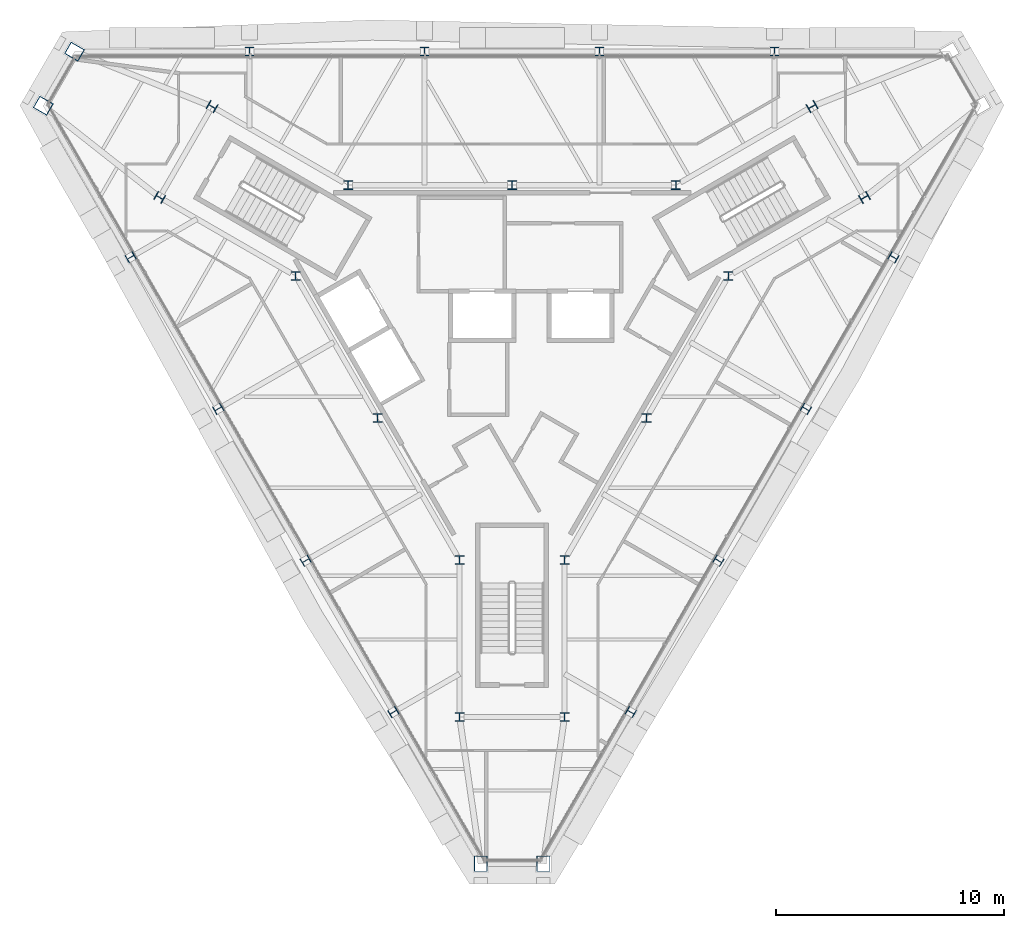
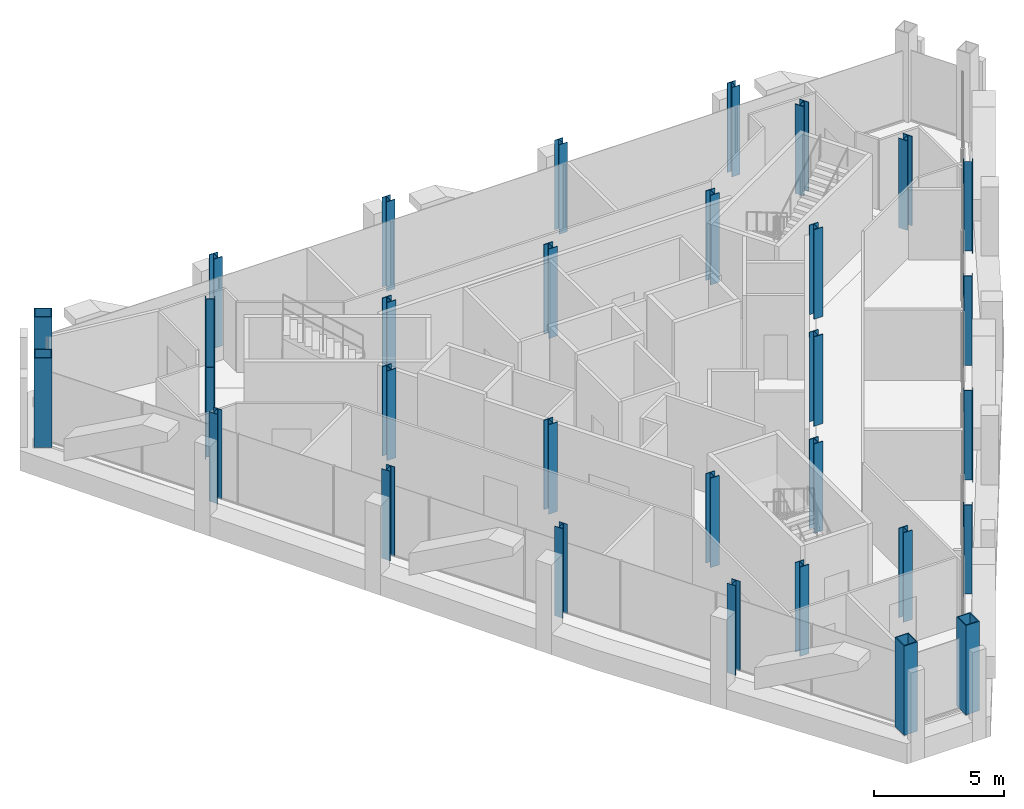
# One storey, part 1 of 13: 31 columns.
"""IFC4 building model written with IfcOpenShell, lengths in metres."""

from ifc_helpers import new_model, si_unit, direction, frame, origin, origin_2d, place, context, subcontext, project, spatial, hollow_rectangle, i_section, extrude, material, material_profile, profile_set, type_object, element, save


model = new_model("IFC4")

# Units and contexts
model_context = context("Model", 3, precision=1e-05, world=origin(), true_north=direction((0.0, 1.0)))
body_context = subcontext(model_context, "Body", "Model", "MODEL_VIEW")
ifc_project = project(units=[si_unit("LENGTHUNIT", "METRE"), si_unit("AREAUNIT", "SQUARE_METRE"), si_unit("VOLUMEUNIT", "CUBIC_METRE"), si_unit("PLANEANGLEUNIT", "RADIAN"), si_unit("MASSUNIT", "GRAM", prefix="KILO")], contexts=[model_context])

# Site, building, storey
site_placement = place(None, origin())
site = spatial("IfcSite", under=ifc_project, at=site_placement, CompositionType="ELEMENT")
building_placement = place(site_placement, origin())
building = spatial("IfcBuilding", under=site, at=building_placement, Name="Verrane Prism Tower", CompositionType="ELEMENT")
storey_placement = place(building_placement, frame((0.0, 0.0, 321.0)))
storey = spatial("IfcBuildingStorey", under=building, at=storey_placement, Name="L81", CompositionType="ELEMENT", Elevation=321.0)

# Columns
ifc_material_1 = material(Name="Steel A992", Category="steel")
ifc_material_profile_1 = material_profile(ifc_material_1, i_section(OverallWidth=0.398681640625, OverallDepth=0.385986328125, WebThickness=0.02099609375, FlangeThickness=0.033203125, FilletRadius=0.01513671875, at=origin_2d()), Name="W14x176")
ifc_profile_set_1 = profile_set([ifc_material_profile_1], Name="Steel A992")
column_type_1 = type_object("IfcColumnType", Name="Core corner column W14x176", PredefinedType="COLUMN", material=ifc_profile_set_1)
for number, where, z_axis, x_axis, name in (
    (1, (15.43994140625, 6.260009765625, 0.0), (0.0, 0.0, 1.0), (0.5, -0.866025403784, 0.0), "Core corner column CK-NEm L81"),
    (2, (13.139892578125, 10.239990234375, 0.0), (0.0, 0.0, 1.0), (0.5, -0.866025403784, 0.0), "Core corner column CK-NEp L81"),
    (3, (-13.139892578125, 10.239990234375, 0.0), (0.0, 0.0, 1.0), (0.5, 0.866025403784, 0.0), "Core corner column CK-NWm L81"),
    (4, (-15.43994140625, 6.260009765625, 0.0), (0.0, 0.0, 1.0), (0.5, 0.866025403784, 0.0), "Core corner column CK-NWp L81"),
    (5, (-2.300048828125, -16.5, 0.0), (0.0, 0.0, 1.0), (-1.0, 0.0, 0.0), "Core corner column CK-Sm L81"),
    (6, (2.300048828125, -16.5, 0.0), (0.0, 0.0, 1.0), (-1.0, 0.0, 0.0), "Core corner column CK-Sp L81"),
):
    element("IfcColumn", number, at=place(storey_placement, frame(where, z_axis=z_axis, x_axis=x_axis)), inside=storey, type_object=column_type_1, Name=name, PredefinedType="COLUMN", context=body_context, shape_type="SweptSolid", body=[
        extrude(i_section(OverallWidth=0.398681640625, OverallDepth=0.385986328125, WebThickness=0.02099609375, FlangeThickness=0.033203125, FilletRadius=0.01513671875, at=origin_2d()), origin(), (0.0, 0.0, 1.0), 4.199951171875),
    ])
ifc_material_2 = material(Name="Steel A992", Category="steel")
ifc_material_profile_2 = material_profile(ifc_material_2, i_section(OverallWidth=0.398681640625, OverallDepth=0.385986328125, WebThickness=0.02099609375, FlangeThickness=0.033203125, FilletRadius=0.01513671875, at=origin_2d()), Name="W14x176")
ifc_profile_set_2 = profile_set([ifc_material_profile_2], Name="Steel A992")
column_type_2 = type_object("IfcColumnType", Name="Core side column W14x176", PredefinedType="COLUMN", material=ifc_profile_set_2)
for number, where, z_axis, x_axis, name in (
    (7, (9.47998046875, 2.820068359375, 0.0), (0.0, 0.0, 1.0), (1.0, 0.0, 0.0), "Core side column CC-NEm L81"),
    (8, (7.179931640625, 6.800048828125, 0.0), (0.0, 0.0, 1.0), (1.0, 0.0, 0.0), "Core side column CC-NEp L81"),
    (9, (0.0, 6.800048828125, 0.0), (0.0, 0.0, 1.0), (1.0, 0.0, 0.0), "Core side column CC-N0 L81"),
    (10, (-7.179931640625, 6.800048828125, 0.0), (0.0, 0.0, 1.0), (1.0, 0.0, 0.0), "Core side column CC-NWm L81"),
    (11, (-9.47998046875, 2.820068359375, 0.0), (0.0, 0.0, 1.0), (1.0, 0.0, 0.0), "Core side column CC-NWp L81"),
    (12, (-5.889892578125, -3.39990234375, 0.0), (0.0, 0.0, 1.0), (1.0, 0.0, 0.0), "Core side column CC-SW0 L81"),
    (13, (-2.300048828125, -9.6201171875, 0.0), (0.0, 0.0, 1.0), (1.0, 0.0, 0.0), "Core side column CC-Sm L81"),
    (14, (2.300048828125, -9.6201171875, 0.0), (0.0, 0.0, 1.0), (1.0, 0.0, 0.0), "Core side column CC-Sp L81"),
    (15, (5.889892578125, -3.39990234375, 0.0), (0.0, 0.0, 1.0), (1.0, 0.0, 0.0), "Core side column CC-SE0 L81"),
):
    element("IfcColumn", number, at=place(storey_placement, frame(where, z_axis=z_axis, x_axis=x_axis)), inside=storey, type_object=column_type_2, Name=name, PredefinedType="COLUMN", context=body_context, shape_type="SweptSolid", body=[
        extrude(i_section(OverallWidth=0.398681640625, OverallDepth=0.385986328125, WebThickness=0.02099609375, FlangeThickness=0.033203125, FilletRadius=0.01513671875, at=origin_2d()), origin(), (0.0, 0.0, 1.0), 4.199951171875),
    ])
ifc_material_3 = material(Name="Steel A572 Grade 50", Category="steel")
ifc_material_profile_3 = material_profile(ifc_material_3, hollow_rectangle(XDim=0.60009765625, YDim=0.699951171875, WallThickness=0.0400390625, at=origin_2d()), Name="BOX 700x600x40")
ifc_profile_set_3 = profile_set([ifc_material_profile_3], Name="Steel A572 Grade 50")
column_type_3 = type_object("IfcColumnType", Name="Megacolumn BOX 700x600x40", PredefinedType="COLUMN", material=ifc_profile_set_3)
for number, where, z_axis, x_axis, name in (
    (16, (-19.169921875, 12.64990234375, 0.0), (0.0, 0.0, 1.0), (0.5, 0.866025403784, 0.0), "Megacolumn MC-NW.a L81"),
    (17, (-20.5400390625, 10.280029296875, 0.0), (0.0, 0.0, 1.0), (0.5, 0.866025403784, 0.0), "Megacolumn MC-NW.b L81"),
    (18, (-1.3701171875, -22.929931640625, 0.0), (0.0, 0.0, 1.0), (-1.0, 0.0, 0.0), "Megacolumn MC-S.a L81"),
    (19, (1.3701171875, -22.929931640625, 0.0), (0.0, 0.0, 1.0), (-1.0, 0.0, 0.0), "Megacolumn MC-S.b L81"),
):
    element("IfcColumn", number, at=place(storey_placement, frame(where, z_axis=z_axis, x_axis=x_axis)), inside=storey, type_object=column_type_3, Name=name, PredefinedType="COLUMN", context=body_context, shape_type="SweptSolid", body=[
        extrude(hollow_rectangle(XDim=0.60009765625, YDim=0.699951171875, WallThickness=0.0400390625, at=origin_2d()), origin(), (0.0, 0.0, 1.0), 4.199951171875),
    ])
ifc_material_4 = material(Name="Steel A992", Category="steel")
ifc_material_profile_4 = material_profile(ifc_material_4, i_section(OverallWidth=0.373291015625, OverallDepth=0.368408203125, WebThickness=0.014892578125, FlangeThickness=0.02392578125, FilletRadius=0.01513671875, at=origin_2d()), Name="W14x120")
ifc_profile_set_4 = profile_set([ifc_material_profile_4], Name="Steel A992")
column_type_4 = type_object("IfcColumnType", Name="Perimeter column W14x120", PredefinedType="COLUMN", material=ifc_profile_set_4)
for number, where, z_axis, x_axis, name in (
    (20, (11.5, 12.64990234375, 0.0), (0.0, 0.0, 1.0), (1.0, 0.0, 0.0), "Perimeter column PC-N1 L81"),
    (21, (3.830078125, 12.64990234375, 0.0), (0.0, 0.0, 1.0), (1.0, 0.0, 0.0), "Perimeter column PC-N2 L81"),
    (22, (-3.830078125, 12.64990234375, 0.0), (0.0, 0.0, 1.0), (1.0, 0.0, 0.0), "Perimeter column PC-N3 L81"),
    (23, (-11.5, 12.64990234375, 0.0), (0.0, 0.0, 1.0), (1.0, 0.0, 0.0), "Perimeter column PC-N4 L81"),
    (24, (-16.7099609375, 3.639892578125, 0.0), (0.0, 0.0, 1.0), (-0.5, 0.866025403784, 0.0), "Perimeter column PC-SW1 L81"),
    (25, (-12.8701171875, -3.0, 0.0), (0.0, 0.0, 1.0), (-0.5, 0.866025403784, 0.0), "Perimeter column PC-SW2 L81"),
    (26, (-9.0400390625, -9.64990234375, 0.0), (0.0, 0.0, 1.0), (-0.5, 0.866025403784, 0.0), "Perimeter column PC-SW3 L81"),
    (27, (-5.199951171875, -16.2900390625, 0.0), (0.0, 0.0, 1.0), (-0.5, 0.866025403784, 0.0), "Perimeter column PC-SW4 L81"),
    (28, (5.199951171875, -16.2900390625, 0.0), (0.0, 0.0, 1.0), (-0.5, -0.866025403784, 0.0), "Perimeter column PC-SE1 L81"),
    (29, (9.0400390625, -9.64990234375, 0.0), (0.0, 0.0, 1.0), (-0.5, -0.866025403784, 0.0), "Perimeter column PC-SE2 L81"),
    (30, (12.8701171875, -3.0, 0.0), (0.0, 0.0, 1.0), (-0.5, -0.866025403784, 0.0), "Perimeter column PC-SE3 L81"),
    (31, (16.7099609375, 3.639892578125, 0.0), (0.0, 0.0, 1.0), (-0.5, -0.866025403784, 0.0), "Perimeter column PC-SE4 L81"),
):
    element("IfcColumn", number, at=place(storey_placement, frame(where, z_axis=z_axis, x_axis=x_axis)), inside=storey, type_object=column_type_4, Name=name, PredefinedType="COLUMN", context=body_context, shape_type="SweptSolid", body=[
        extrude(i_section(OverallWidth=0.373291015625, OverallDepth=0.368408203125, WebThickness=0.014892578125, FlangeThickness=0.02392578125, FilletRadius=0.01513671875, at=origin_2d()), origin(), (0.0, 0.0, 1.0), 4.199951171875),
    ])

save(model, "model.ifc")
